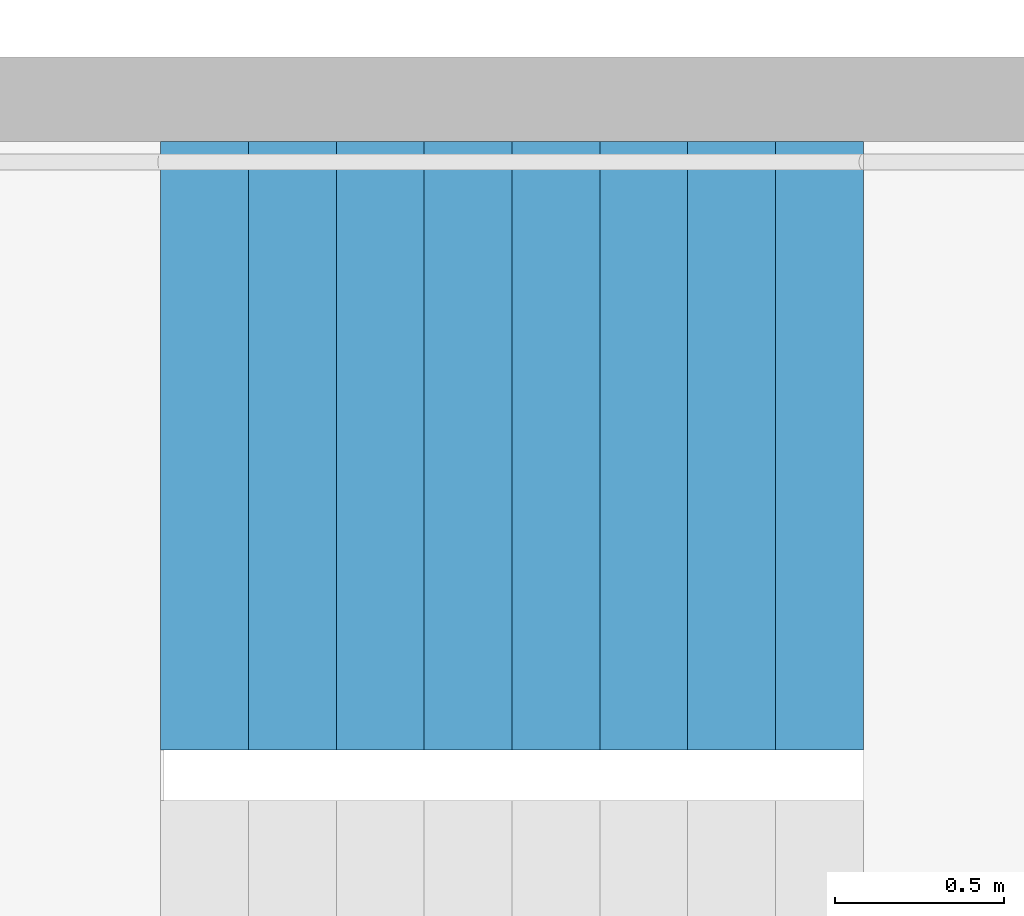
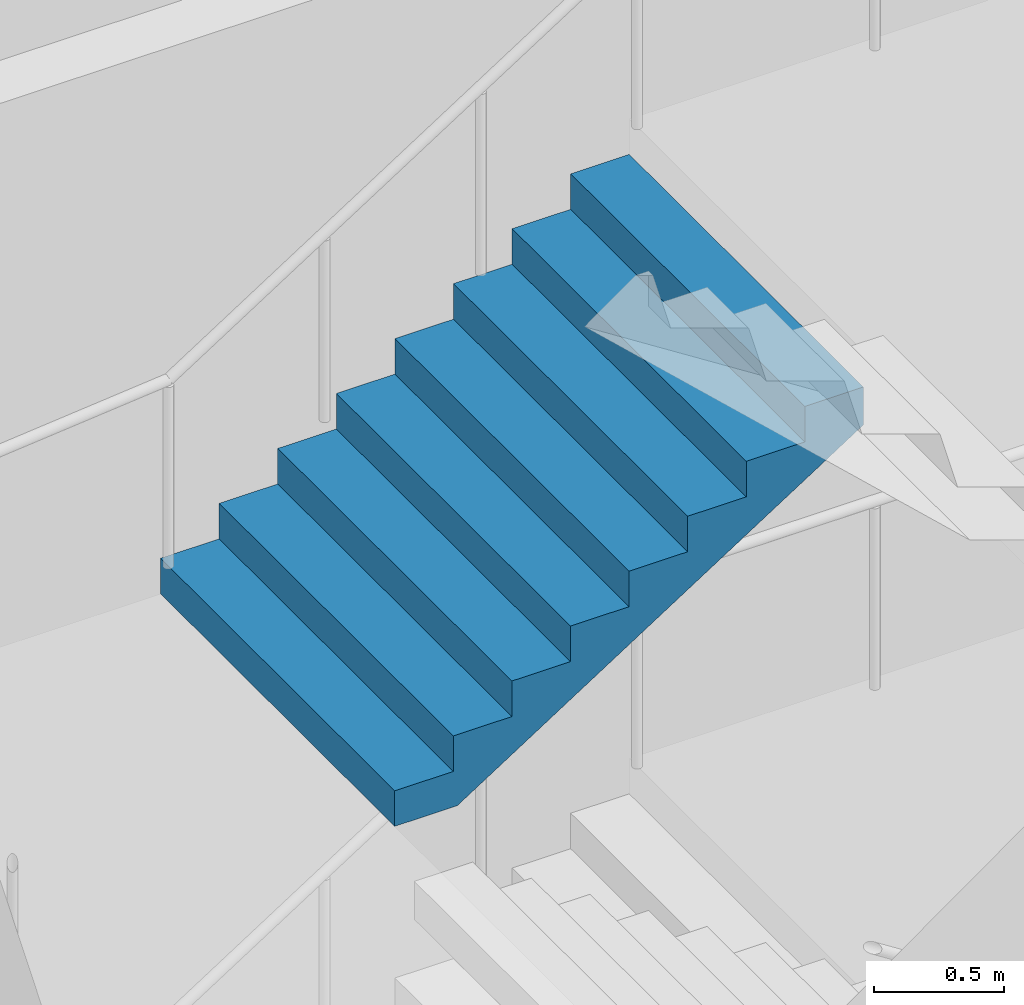
# One storey, part 29 of 35: 1 stair flight, 1 element without a shape of its own.
"""IFC4 building model written with IfcOpenShell, lengths in metres."""

from ifc_helpers import new_model, si_unit, direction, frame, origin, place, context, subcontext, project, spatial, triangles, material, type_object, element, aggregate, save


model = new_model("IFC4")

# Units and contexts
model_context = context("Model", 3, precision=1e-05, world=origin(), true_north=direction((0.0, 1.0)))
body_context = subcontext(model_context, "Body", "Model", "MODEL_VIEW")
ifc_project = project(units=[si_unit("LENGTHUNIT", "METRE"), si_unit("AREAUNIT", "SQUARE_METRE"), si_unit("VOLUMEUNIT", "CUBIC_METRE"), si_unit("PLANEANGLEUNIT", "RADIAN"), si_unit("MASSUNIT", "GRAM", prefix="KILO")], contexts=[model_context])

# Site, building, storey
site_placement = place(None, origin())
site = spatial("IfcSite", under=ifc_project, at=site_placement, CompositionType="ELEMENT")
building_placement = place(site_placement, origin())
building = spatial("IfcBuilding", under=site, at=building_placement, Name="Hakoniwa Tower and Hamabe Station Hall", CompositionType="ELEMENT")
storey_placement = place(building_placement, frame((0.0, 0.0, 264.60009765625)))
storey = spatial("IfcBuildingStorey", under=building, at=storey_placement, Name="L75", CompositionType="ELEMENT", Elevation=264.60009765625)

# Stair, stair flight
ifc_material_1 = material(Name="Concrete C40", Category="concrete")
stair_type = type_object("IfcStairType", Name="ESCAPE STAIR 1800", PredefinedType="HALF_TURN_STAIR", material=ifc_material_1)
stair_placement = place(storey_placement, origin())
stair = element("IfcStair", 1, at=stair_placement, inside=storey, type_object=stair_type, Name="Escape stair ST-4 L75", PredefinedType="HALF_TURN_STAIR")
ifc_material_2 = material(Name="Concrete C40", Category="concrete")
stair_flight_type = type_object("IfcStairFlightType", Name="STAIR FLIGHT 1800", PredefinedType="STRAIGHT", material=ifc_material_2)
stair_flight_placement = place(storey_placement, frame((23.39990234375, -4.64990234375, 3.0), z_axis=(0.0, 0.0, 1.0), x_axis=(1.0, 0.0, 0.0)))
stair_flight = element("IfcStairFlight", 2, at=stair_flight_placement, type_object=stair_flight_type, Name="ST-4 flight 3", NumberOfRisers=9, NumberOfTreads=8, PredefinedType="STRAIGHT", RiserHeight=0.166666667, TreadLength=0.26, context=body_context, shape_type="Tessellation", body=[
    triangles([(0.0, 0.89990234375, 0.0), (0.260009765625, 0.89990234375, 0.0), (0.27783203125, 0.89990234375, 0.0), (0.52001953125, 0.89990234375, 0.1552734375), (0.780029296875, 0.89990234375, 0.322021484375), (1.0400390625, 0.89990234375, 0.488525390625), (1.300048828125, 0.89990234375, 0.6552734375), (1.56005859375, 0.89990234375, 0.822021484375), (1.820068359375, 0.89990234375, 0.988525390625), (2.080078125, 0.89990234375, 1.1552734375), (2.080078125, 0.89990234375, 1.333251953125), (1.820068359375, 0.89990234375, 1.333251953125), (1.820068359375, 0.89990234375, 1.166748046875), (1.56005859375, 0.89990234375, 1.166748046875), (1.56005859375, 0.89990234375, 1.0), (1.300048828125, 0.89990234375, 1.0), (1.300048828125, 0.89990234375, 0.833251953125), (1.0400390625, 0.89990234375, 0.833251953125), (1.0400390625, 0.89990234375, 0.666748046875), (0.780029296875, 0.89990234375, 0.666748046875), (0.780029296875, 0.89990234375, 0.5), (0.52001953125, 0.89990234375, 0.5), (0.52001953125, 0.89990234375, 0.333251953125), (0.27783203125, 0.89990234375, 0.333251953125), (0.260009765625, 0.89990234375, 0.333251953125), (0.260009765625, 0.89990234375, 0.166748046875), (0.0, 0.89990234375, 0.166748046875), (0.0, 0.06005859375, 0.0), (0.260009765625, 0.06005859375, 0.0), (0.27783203125, 0.06005859375, 0.0), (0.52001953125, 0.06005859375, 0.1552734375), (0.780029296875, 0.06005859375, 0.322021484375), (1.0400390625, 0.06005859375, 0.488525390625), (1.300048828125, 0.06005859375, 0.6552734375), (1.56005859375, 0.06005859375, 0.822021484375), (1.820068359375, 0.06005859375, 0.988525390625), (2.080078125, 0.06005859375, 1.1552734375), (2.080078125, 0.06005859375, 1.333251953125), (1.820068359375, 0.06005859375, 1.333251953125), (1.820068359375, 0.06005859375, 1.166748046875), (1.56005859375, 0.06005859375, 1.166748046875), (1.56005859375, 0.06005859375, 1.0), (1.300048828125, 0.06005859375, 1.0), (1.300048828125, 0.06005859375, 0.833251953125), (1.0400390625, 0.06005859375, 0.833251953125), (1.0400390625, 0.06005859375, 0.666748046875), (0.780029296875, 0.06005859375, 0.666748046875), (0.780029296875, 0.06005859375, 0.5), (0.52001953125, 0.06005859375, 0.5), (0.52001953125, 0.06005859375, 0.333251953125), (0.27783203125, 0.06005859375, 0.333251953125), (0.260009765625, 0.06005859375, 0.333251953125), (0.260009765625, 0.06005859375, 0.166748046875), (0.0, 0.06005859375, 0.166748046875), (0.0, 0.04296875, 0.0), (0.260009765625, 0.04296875, 0.0), (0.27783203125, 0.04296875, 0.0), (0.52001953125, 0.04296875, 0.1552734375), (0.780029296875, 0.04296875, 0.322021484375), (1.0400390625, 0.04296875, 0.488525390625), (1.300048828125, 0.04296875, 0.6552734375), (1.56005859375, 0.04296875, 0.822021484375), (1.820068359375, 0.04296875, 0.988525390625), (2.080078125, 0.04296875, 1.1552734375), (2.080078125, 0.04296875, 1.333251953125), (1.820068359375, 0.04296875, 1.333251953125), (1.820068359375, 0.04296875, 1.166748046875), (1.56005859375, 0.04296875, 1.166748046875), (1.56005859375, 0.04296875, 1.0), (1.300048828125, 0.04296875, 1.0), (1.300048828125, 0.04296875, 0.833251953125), (1.0400390625, 0.04296875, 0.833251953125), (1.0400390625, 0.04296875, 0.666748046875), (0.780029296875, 0.04296875, 0.666748046875), (0.780029296875, 0.04296875, 0.5), (0.52001953125, 0.04296875, 0.5), (0.52001953125, 0.04296875, 0.333251953125), (0.27783203125, 0.04296875, 0.333251953125), (0.260009765625, 0.04296875, 0.333251953125), (0.260009765625, 0.04296875, 0.166748046875), (0.0, 0.04296875, 0.166748046875), (0.0, 0.025634765625, 0.0), (0.260009765625, 0.025634765625, 0.0), (0.27783203125, 0.025634765625, 0.0), (0.52001953125, 0.025634765625, 0.1552734375), (0.780029296875, 0.025634765625, 0.322021484375), (1.0400390625, 0.025634765625, 0.488525390625), (1.300048828125, 0.025634765625, 0.6552734375), (1.56005859375, 0.025634765625, 0.822021484375), (1.820068359375, 0.025634765625, 0.988525390625), (2.080078125, 0.025634765625, 1.1552734375), (2.080078125, 0.025634765625, 1.333251953125), (1.820068359375, 0.025634765625, 1.333251953125), (1.820068359375, 0.025634765625, 1.166748046875), (1.56005859375, 0.025634765625, 1.166748046875), (1.56005859375, 0.025634765625, 1.0), (1.300048828125, 0.025634765625, 1.0), (1.300048828125, 0.025634765625, 0.833251953125), (1.0400390625, 0.025634765625, 0.833251953125), (1.0400390625, 0.025634765625, 0.666748046875), (0.780029296875, 0.025634765625, 0.666748046875), (0.780029296875, 0.025634765625, 0.5), (0.52001953125, 0.025634765625, 0.5), (0.52001953125, 0.025634765625, 0.333251953125), (0.27783203125, 0.025634765625, 0.333251953125), (0.260009765625, 0.025634765625, 0.333251953125), (0.260009765625, 0.025634765625, 0.166748046875), (0.0, 0.025634765625, 0.166748046875), (0.0, 0.008544921875, 0.0), (0.260009765625, 0.008544921875, 0.0), (0.27783203125, 0.008544921875, 0.0), (0.52001953125, 0.008544921875, 0.1552734375), (0.780029296875, 0.008544921875, 0.322021484375), (1.0400390625, 0.008544921875, 0.488525390625), (1.300048828125, 0.008544921875, 0.6552734375), (1.56005859375, 0.008544921875, 0.822021484375), (1.820068359375, 0.008544921875, 0.988525390625), (2.080078125, 0.008544921875, 1.1552734375), (2.080078125, 0.008544921875, 1.333251953125), (1.820068359375, 0.008544921875, 1.333251953125), (1.820068359375, 0.008544921875, 1.166748046875), (1.56005859375, 0.008544921875, 1.166748046875), (1.56005859375, 0.008544921875, 1.0), (1.300048828125, 0.008544921875, 1.0), (1.300048828125, 0.008544921875, 0.833251953125), (1.0400390625, 0.008544921875, 0.833251953125), (1.0400390625, 0.008544921875, 0.666748046875), (0.780029296875, 0.008544921875, 0.666748046875), (0.780029296875, 0.008544921875, 0.5), (0.52001953125, 0.008544921875, 0.5), (0.52001953125, 0.008544921875, 0.333251953125), (0.27783203125, 0.008544921875, 0.333251953125), (0.260009765625, 0.008544921875, 0.333251953125), (0.260009765625, 0.008544921875, 0.166748046875), (0.0, 0.008544921875, 0.166748046875), (0.0, -0.008544921875, 0.0), (0.260009765625, -0.008544921875, 0.0), (0.27783203125, -0.008544921875, 0.0), (0.52001953125, -0.008544921875, 0.1552734375), (0.780029296875, -0.008544921875, 0.322021484375), (1.0400390625, -0.008544921875, 0.488525390625), (1.300048828125, -0.008544921875, 0.6552734375), (1.56005859375, -0.008544921875, 0.822021484375), (1.820068359375, -0.008544921875, 0.988525390625), (2.080078125, -0.008544921875, 1.1552734375), (2.080078125, -0.008544921875, 1.333251953125), (1.820068359375, -0.008544921875, 1.333251953125), (1.820068359375, -0.008544921875, 1.166748046875), (1.56005859375, -0.008544921875, 1.166748046875), (1.56005859375, -0.008544921875, 1.0), (1.300048828125, -0.008544921875, 1.0), (1.300048828125, -0.008544921875, 0.833251953125), (1.0400390625, -0.008544921875, 0.833251953125), (1.0400390625, -0.008544921875, 0.666748046875), (0.780029296875, -0.008544921875, 0.666748046875), (0.780029296875, -0.008544921875, 0.5), (0.52001953125, -0.008544921875, 0.5), (0.52001953125, -0.008544921875, 0.333251953125), (0.27783203125, -0.008544921875, 0.333251953125), (0.260009765625, -0.008544921875, 0.333251953125), (0.260009765625, -0.008544921875, 0.166748046875), (0.0, -0.008544921875, 0.166748046875), (0.0, -0.025634765625, 0.0), (0.260009765625, -0.025634765625, 0.0), (0.27783203125, -0.025634765625, 0.0), (0.52001953125, -0.025634765625, 0.1552734375), (0.780029296875, -0.025634765625, 0.322021484375), (1.0400390625, -0.025634765625, 0.488525390625), (1.300048828125, -0.025634765625, 0.6552734375), (1.56005859375, -0.025634765625, 0.822021484375), (1.820068359375, -0.025634765625, 0.988525390625), (2.080078125, -0.025634765625, 1.1552734375), (2.080078125, -0.025634765625, 1.333251953125), (1.820068359375, -0.025634765625, 1.333251953125), (1.820068359375, -0.025634765625, 1.166748046875), (1.56005859375, -0.025634765625, 1.166748046875), (1.56005859375, -0.025634765625, 1.0), (1.300048828125, -0.025634765625, 1.0), (1.300048828125, -0.025634765625, 0.833251953125), (1.0400390625, -0.025634765625, 0.833251953125), (1.0400390625, -0.025634765625, 0.666748046875), (0.780029296875, -0.025634765625, 0.666748046875), (0.780029296875, -0.025634765625, 0.5), (0.52001953125, -0.025634765625, 0.5), (0.52001953125, -0.025634765625, 0.333251953125), (0.27783203125, -0.025634765625, 0.333251953125), (0.260009765625, -0.025634765625, 0.333251953125), (0.260009765625, -0.025634765625, 0.166748046875), (0.0, -0.025634765625, 0.166748046875), (0.0, -0.04296875, 0.0), (0.260009765625, -0.04296875, 0.0), (0.27783203125, -0.04296875, 0.0), (0.52001953125, -0.04296875, 0.1552734375), (0.780029296875, -0.04296875, 0.322021484375), (1.0400390625, -0.04296875, 0.488525390625), (1.300048828125, -0.04296875, 0.6552734375), (1.56005859375, -0.04296875, 0.822021484375), (1.820068359375, -0.04296875, 0.988525390625), (2.080078125, -0.04296875, 1.1552734375), (2.080078125, -0.04296875, 1.333251953125), (1.820068359375, -0.04296875, 1.333251953125), (1.820068359375, -0.04296875, 1.166748046875), (1.56005859375, -0.04296875, 1.166748046875), (1.56005859375, -0.04296875, 1.0), (1.300048828125, -0.04296875, 1.0), (1.300048828125, -0.04296875, 0.833251953125), (1.0400390625, -0.04296875, 0.833251953125), (1.0400390625, -0.04296875, 0.666748046875), (0.780029296875, -0.04296875, 0.666748046875), (0.780029296875, -0.04296875, 0.5), (0.52001953125, -0.04296875, 0.5), (0.52001953125, -0.04296875, 0.333251953125), (0.27783203125, -0.04296875, 0.333251953125), (0.260009765625, -0.04296875, 0.333251953125), (0.260009765625, -0.04296875, 0.166748046875), (0.0, -0.04296875, 0.166748046875), (0.0, -0.06005859375, 0.0), (0.260009765625, -0.06005859375, 0.0), (0.27783203125, -0.06005859375, 0.0), (0.52001953125, -0.06005859375, 0.1552734375), (0.780029296875, -0.06005859375, 0.322021484375), (1.0400390625, -0.06005859375, 0.488525390625), (1.300048828125, -0.06005859375, 0.6552734375), (1.56005859375, -0.06005859375, 0.822021484375), (1.820068359375, -0.06005859375, 0.988525390625), (2.080078125, -0.06005859375, 1.1552734375), (2.080078125, -0.06005859375, 1.333251953125), (1.820068359375, -0.06005859375, 1.333251953125), (1.820068359375, -0.06005859375, 1.166748046875), (1.56005859375, -0.06005859375, 1.166748046875), (1.56005859375, -0.06005859375, 1.0), (1.300048828125, -0.06005859375, 1.0), (1.300048828125, -0.06005859375, 0.833251953125), (1.0400390625, -0.06005859375, 0.833251953125), (1.0400390625, -0.06005859375, 0.666748046875), (0.780029296875, -0.06005859375, 0.666748046875), (0.780029296875, -0.06005859375, 0.5), (0.52001953125, -0.06005859375, 0.5), (0.52001953125, -0.06005859375, 0.333251953125), (0.27783203125, -0.06005859375, 0.333251953125), (0.260009765625, -0.06005859375, 0.333251953125), (0.260009765625, -0.06005859375, 0.166748046875), (0.0, -0.06005859375, 0.166748046875), (0.0, -0.89990234375, 0.0), (0.260009765625, -0.89990234375, 0.0), (0.27783203125, -0.89990234375, 0.0), (0.52001953125, -0.89990234375, 0.1552734375), (0.780029296875, -0.89990234375, 0.322021484375), (1.0400390625, -0.89990234375, 0.488525390625), (1.300048828125, -0.89990234375, 0.6552734375), (1.56005859375, -0.89990234375, 0.822021484375), (1.820068359375, -0.89990234375, 0.988525390625), (2.080078125, -0.89990234375, 1.1552734375), (2.080078125, -0.89990234375, 1.333251953125), (1.820068359375, -0.89990234375, 1.333251953125), (1.820068359375, -0.89990234375, 1.166748046875), (1.56005859375, -0.89990234375, 1.166748046875), (1.56005859375, -0.89990234375, 1.0), (1.300048828125, -0.89990234375, 1.0), (1.300048828125, -0.89990234375, 0.833251953125), (1.0400390625, -0.89990234375, 0.833251953125), (1.0400390625, -0.89990234375, 0.666748046875), (0.780029296875, -0.89990234375, 0.666748046875), (0.780029296875, -0.89990234375, 0.5), (0.52001953125, -0.89990234375, 0.5), (0.52001953125, -0.89990234375, 0.333251953125), (0.27783203125, -0.89990234375, 0.333251953125), (0.260009765625, -0.89990234375, 0.333251953125), (0.260009765625, -0.89990234375, 0.166748046875), (0.0, -0.89990234375, 0.166748046875)], [[2, 27, 26], [245, 269, 270], [2, 1, 27], [245, 270, 244], [3, 25, 24], [246, 267, 268], [3, 26, 25], [246, 268, 269], [3, 2, 26], [246, 269, 245], [4, 24, 23], [247, 266, 267], [4, 3, 24], [247, 267, 246], [5, 22, 21], [248, 264, 265], [5, 23, 22], [248, 265, 266], [5, 4, 23], [248, 266, 247], [6, 20, 19], [249, 262, 263], [6, 21, 20], [249, 263, 264], [6, 5, 21], [249, 264, 248], [7, 18, 17], [250, 260, 261], [7, 19, 18], [250, 261, 262], [7, 6, 19], [250, 262, 249], [8, 16, 15], [251, 258, 259], [8, 17, 16], [251, 259, 260], [8, 7, 17], [251, 260, 250], [9, 14, 13], [252, 256, 257], [9, 15, 14], [252, 257, 258], [9, 8, 15], [252, 258, 251], [10, 12, 11], [253, 254, 255], [10, 13, 12], [253, 255, 256], [10, 9, 13], [253, 256, 252], [1, 2, 29], [1, 29, 28], [28, 29, 56], [28, 56, 55], [55, 56, 83], [55, 83, 82], [82, 83, 110], [82, 110, 109], [109, 110, 137], [109, 137, 136], [136, 137, 164], [136, 164, 163], [163, 164, 191], [163, 191, 190], [190, 191, 218], [190, 218, 217], [217, 218, 245], [217, 245, 244], [2, 3, 30], [2, 30, 29], [29, 30, 57], [29, 57, 56], [56, 57, 84], [56, 84, 83], [83, 84, 111], [83, 111, 110], [110, 111, 138], [110, 138, 137], [137, 138, 165], [137, 165, 164], [164, 165, 192], [164, 192, 191], [191, 192, 219], [191, 219, 218], [218, 219, 246], [218, 246, 245], [3, 4, 31], [3, 31, 30], [30, 31, 58], [30, 58, 57], [57, 58, 85], [57, 85, 84], [84, 85, 112], [84, 112, 111], [111, 112, 139], [111, 139, 138], [138, 139, 166], [138, 166, 165], [165, 166, 193], [165, 193, 192], [192, 193, 220], [192, 220, 219], [219, 220, 247], [219, 247, 246], [4, 5, 32], [4, 32, 31], [31, 32, 59], [31, 59, 58], [58, 59, 86], [58, 86, 85], [85, 86, 113], [85, 113, 112], [112, 113, 140], [112, 140, 139], [139, 140, 167], [139, 167, 166], [166, 167, 194], [166, 194, 193], [193, 194, 221], [193, 221, 220], [220, 221, 248], [220, 248, 247], [5, 6, 33], [5, 33, 32], [32, 33, 60], [32, 60, 59], [59, 60, 87], [59, 87, 86], [86, 87, 114], [86, 114, 113], [113, 114, 141], [113, 141, 140], [140, 141, 168], [140, 168, 167], [167, 168, 195], [167, 195, 194], [194, 195, 222], [194, 222, 221], [221, 222, 249], [221, 249, 248], [6, 7, 34], [6, 34, 33], [33, 34, 61], [33, 61, 60], [60, 61, 88], [60, 88, 87], [87, 88, 115], [87, 115, 114], [114, 115, 142], [114, 142, 141], [141, 142, 169], [141, 169, 168], [168, 169, 196], [168, 196, 195], [195, 196, 223], [195, 223, 222], [222, 223, 250], [222, 250, 249], [7, 8, 35], [7, 35, 34], [34, 35, 62], [34, 62, 61], [61, 62, 89], [61, 89, 88], [88, 89, 116], [88, 116, 115], [115, 116, 143], [115, 143, 142], [142, 143, 170], [142, 170, 169], [169, 170, 197], [169, 197, 196], [196, 197, 224], [196, 224, 223], [223, 224, 251], [223, 251, 250], [8, 9, 36], [8, 36, 35], [35, 36, 63], [35, 63, 62], [62, 63, 90], [62, 90, 89], [89, 90, 117], [89, 117, 116], [116, 117, 144], [116, 144, 143], [143, 144, 171], [143, 171, 170], [170, 171, 198], [170, 198, 197], [197, 198, 225], [197, 225, 224], [224, 225, 252], [224, 252, 251], [9, 10, 37], [9, 37, 36], [36, 37, 64], [36, 64, 63], [63, 64, 91], [63, 91, 90], [90, 91, 118], [90, 118, 117], [117, 118, 145], [117, 145, 144], [144, 145, 172], [144, 172, 171], [171, 172, 199], [171, 199, 198], [198, 199, 226], [198, 226, 225], [225, 226, 253], [225, 253, 252], [10, 11, 38], [10, 38, 37], [37, 38, 65], [37, 65, 64], [64, 65, 92], [64, 92, 91], [91, 92, 119], [91, 119, 118], [118, 119, 146], [118, 146, 145], [145, 146, 173], [145, 173, 172], [172, 173, 200], [172, 200, 199], [199, 200, 227], [199, 227, 226], [226, 227, 254], [226, 254, 253], [11, 12, 39], [11, 39, 38], [38, 39, 66], [38, 66, 65], [65, 66, 93], [65, 93, 92], [92, 93, 120], [92, 120, 119], [119, 120, 147], [119, 147, 146], [146, 147, 174], [146, 174, 173], [173, 174, 201], [173, 201, 200], [200, 201, 228], [200, 228, 227], [227, 228, 255], [227, 255, 254], [12, 13, 40], [12, 40, 39], [39, 40, 67], [39, 67, 66], [66, 67, 94], [66, 94, 93], [93, 94, 121], [93, 121, 120], [120, 121, 148], [120, 148, 147], [147, 148, 175], [147, 175, 174], [174, 175, 202], [174, 202, 201], [201, 202, 229], [201, 229, 228], [228, 229, 256], [228, 256, 255], [13, 14, 41], [13, 41, 40], [40, 41, 68], [40, 68, 67], [67, 68, 95], [67, 95, 94], [94, 95, 122], [94, 122, 121], [121, 122, 149], [121, 149, 148], [148, 149, 176], [148, 176, 175], [175, 176, 203], [175, 203, 202], [202, 203, 230], [202, 230, 229], [229, 230, 257], [229, 257, 256], [14, 15, 42], [14, 42, 41], [41, 42, 69], [41, 69, 68], [68, 69, 96], [68, 96, 95], [95, 96, 123], [95, 123, 122], [122, 123, 150], [122, 150, 149], [149, 150, 177], [149, 177, 176], [176, 177, 204], [176, 204, 203], [203, 204, 231], [203, 231, 230], [230, 231, 258], [230, 258, 257], [15, 16, 43], [15, 43, 42], [42, 43, 70], [42, 70, 69], [69, 70, 97], [69, 97, 96], [96, 97, 124], [96, 124, 123], [123, 124, 151], [123, 151, 150], [150, 151, 178], [150, 178, 177], [177, 178, 205], [177, 205, 204], [204, 205, 232], [204, 232, 231], [231, 232, 259], [231, 259, 258], [16, 17, 44], [16, 44, 43], [43, 44, 71], [43, 71, 70], [70, 71, 98], [70, 98, 97], [97, 98, 125], [97, 125, 124], [124, 125, 152], [124, 152, 151], [151, 152, 179], [151, 179, 178], [178, 179, 206], [178, 206, 205], [205, 206, 233], [205, 233, 232], [232, 233, 260], [232, 260, 259], [17, 18, 45], [17, 45, 44], [44, 45, 72], [44, 72, 71], [71, 72, 99], [71, 99, 98], [98, 99, 126], [98, 126, 125], [125, 126, 153], [125, 153, 152], [152, 153, 180], [152, 180, 179], [179, 180, 207], [179, 207, 206], [206, 207, 234], [206, 234, 233], [233, 234, 261], [233, 261, 260], [18, 19, 46], [18, 46, 45], [45, 46, 73], [45, 73, 72], [72, 73, 100], [72, 100, 99], [99, 100, 127], [99, 127, 126], [126, 127, 154], [126, 154, 153], [153, 154, 181], [153, 181, 180], [180, 181, 208], [180, 208, 207], [207, 208, 235], [207, 235, 234], [234, 235, 262], [234, 262, 261], [19, 20, 47], [19, 47, 46], [46, 47, 74], [46, 74, 73], [73, 74, 101], [73, 101, 100], [100, 101, 128], [100, 128, 127], [127, 128, 155], [127, 155, 154], [154, 155, 182], [154, 182, 181], [181, 182, 209], [181, 209, 208], [208, 209, 236], [208, 236, 235], [235, 236, 263], [235, 263, 262], [20, 21, 48], [20, 48, 47], [47, 48, 75], [47, 75, 74], [74, 75, 102], [74, 102, 101], [101, 102, 129], [101, 129, 128], [128, 129, 156], [128, 156, 155], [155, 156, 183], [155, 183, 182], [182, 183, 210], [182, 210, 209], [209, 210, 237], [209, 237, 236], [236, 237, 264], [236, 264, 263], [21, 22, 49], [21, 49, 48], [48, 49, 76], [48, 76, 75], [75, 76, 103], [75, 103, 102], [102, 103, 130], [102, 130, 129], [129, 130, 157], [129, 157, 156], [156, 157, 184], [156, 184, 183], [183, 184, 211], [183, 211, 210], [210, 211, 238], [210, 238, 237], [237, 238, 265], [237, 265, 264], [22, 23, 50], [22, 50, 49], [49, 50, 77], [49, 77, 76], [76, 77, 104], [76, 104, 103], [103, 104, 131], [103, 131, 130], [130, 131, 158], [130, 158, 157], [157, 158, 185], [157, 185, 184], [184, 185, 212], [184, 212, 211], [211, 212, 239], [211, 239, 238], [238, 239, 266], [238, 266, 265], [23, 24, 51], [23, 51, 50], [50, 51, 78], [50, 78, 77], [77, 78, 105], [77, 105, 104], [104, 105, 132], [104, 132, 131], [131, 132, 159], [131, 159, 158], [158, 159, 186], [158, 186, 185], [185, 186, 213], [185, 213, 212], [212, 213, 240], [212, 240, 239], [239, 240, 267], [239, 267, 266], [24, 25, 52], [24, 52, 51], [51, 52, 79], [51, 79, 78], [78, 79, 106], [78, 106, 105], [105, 106, 133], [105, 133, 132], [132, 133, 160], [132, 160, 159], [159, 160, 187], [159, 187, 186], [186, 187, 214], [186, 214, 213], [213, 214, 241], [213, 241, 240], [240, 241, 268], [240, 268, 267], [25, 26, 53], [25, 53, 52], [52, 53, 80], [52, 80, 79], [79, 80, 107], [79, 107, 106], [106, 107, 134], [106, 134, 133], [133, 134, 161], [133, 161, 160], [160, 161, 188], [160, 188, 187], [187, 188, 215], [187, 215, 214], [214, 215, 242], [214, 242, 241], [241, 242, 269], [241, 269, 268], [26, 27, 54], [26, 54, 53], [53, 54, 81], [53, 81, 80], [80, 81, 108], [80, 108, 107], [107, 108, 135], [107, 135, 134], [134, 135, 162], [134, 162, 161], [161, 162, 189], [161, 189, 188], [188, 189, 216], [188, 216, 215], [215, 216, 243], [215, 243, 242], [242, 243, 270], [242, 270, 269], [27, 1, 28], [27, 28, 54], [54, 28, 55], [54, 55, 81], [81, 55, 82], [81, 82, 108], [108, 82, 109], [108, 109, 135], [135, 109, 136], [135, 136, 162], [162, 136, 163], [162, 163, 189], [189, 163, 190], [189, 190, 216], [216, 190, 217], [216, 217, 243], [243, 217, 244], [243, 244, 270]], closed=True),
])
aggregate(stair, [stair_flight])

save(model, "model.ifc")
